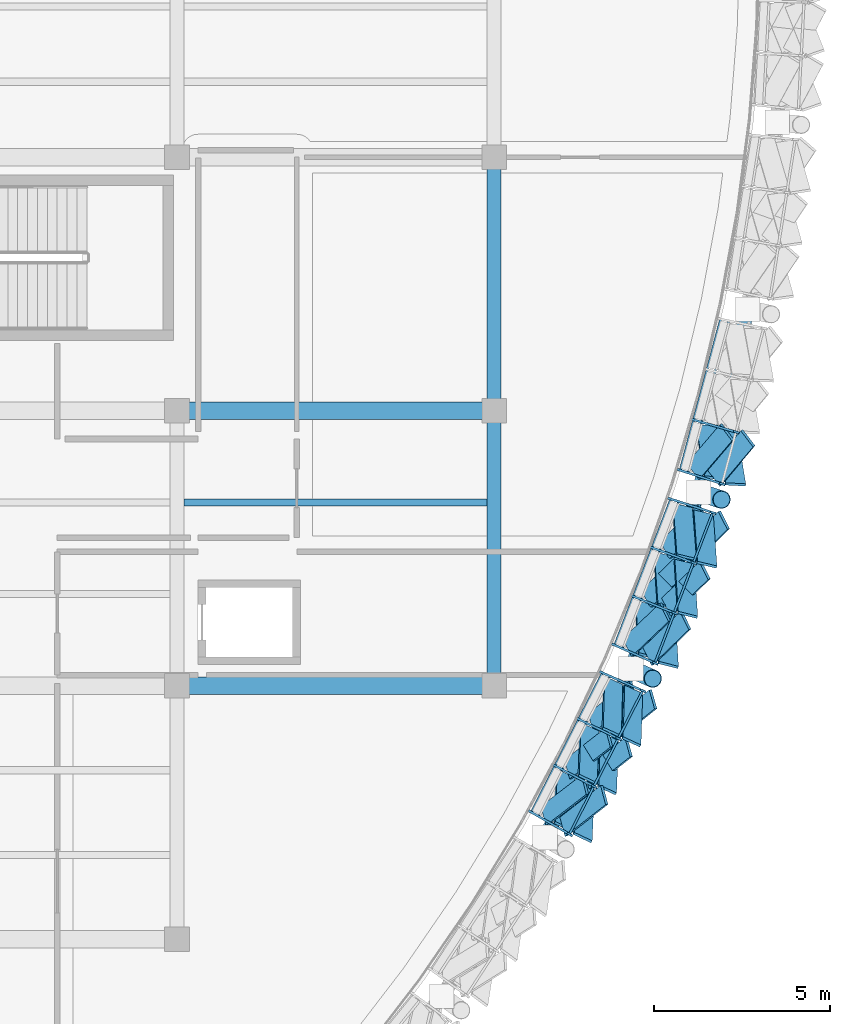
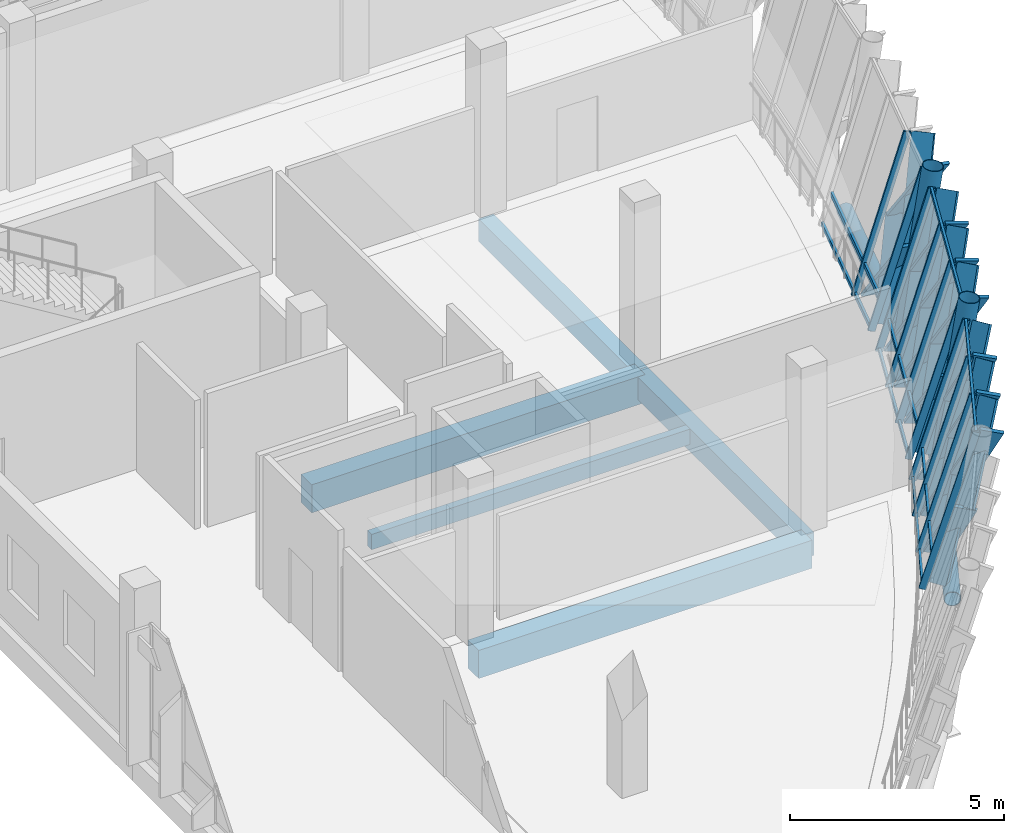
# One storey, part 97 of 177: 48 members, 8 beams, 3 elements without a shape of their own.
"""IFC4 building model written with IfcOpenShell, lengths in metres."""

from ifc_helpers import new_model, si_unit, direction, frame, origin, origin_2d, place, context, subcontext, project, spatial, rectangle, hollow_rectangle, hollow_circle, extrude, material, material_profile, profile_set, type_object, element, aggregate, save


model = new_model("IFC4")

# Units and contexts
model_context = context("Model", 3, precision=1e-05, world=origin(), true_north=direction((0.0, 1.0)))
body_context = subcontext(model_context, "Body", "Model", "MODEL_VIEW")
ifc_project = project(units=[si_unit("LENGTHUNIT", "METRE"), si_unit("AREAUNIT", "SQUARE_METRE"), si_unit("VOLUMEUNIT", "CUBIC_METRE"), si_unit("PLANEANGLEUNIT", "RADIAN"), si_unit("MASSUNIT", "GRAM", prefix="KILO")], contexts=[model_context])

# Site, building, storey
site_placement = place(None, origin())
site = spatial("IfcSite", under=ifc_project, at=site_placement, CompositionType="ELEMENT")
building_placement = place(site_placement, origin())
building = spatial("IfcBuilding", under=site, at=building_placement, Name="Chiffa Square Polytechnic", CompositionType="ELEMENT")
storey_placement = place(building_placement, frame((0.0, 0.0, 4.800048828125)))
storey = spatial("IfcBuildingStorey", under=building, at=storey_placement, Name="L01", CompositionType="ELEMENT", Elevation=4.800048828125)

# Beams
ifc_material_1 = material(Name="Concrete C35/45", Category="concrete")
ifc_material_profile_1 = material_profile(ifc_material_1, rectangle(XDim=0.39990234375, YDim=0.64990234375, at=origin_2d()), Name="RC 400x650")
ifc_profile_set_1 = profile_set([ifc_material_profile_1], Name="Concrete C35/45")
beam_type_1 = type_object("IfcBeamType", Name="BM-RC-400X650", PredefinedType="BEAM", material=ifc_profile_set_1)
beam_1_placement = place(storey_placement, frame((166.199951171875, 36.0, -0.60498046875), z_axis=(0.0, 1.0, 0.0), x_axis=(-1.0, 0.0, 0.0)))
element("IfcBeam", 1, at=beam_1_placement, inside=storey, type_object=beam_type_1, Name="Primary floor girder BM-V1-L01-Y-1662-0360", PredefinedType="BEAM", context=body_context, shape_type="SweptSolid", body=[
    extrude(rectangle(XDim=0.39990234375, YDim=0.64990234375, at=origin_2d()), origin(), (0.0, 0.0, 1.0), 7.800048828125),
])
beam_2_placement = place(storey_placement, frame((166.199951171875, 43.800048828125, -0.60498046875), z_axis=(0.0, 1.0, 0.0), x_axis=(-1.0, 0.0, 0.0)))
element("IfcBeam", 2, at=beam_2_placement, inside=storey, type_object=beam_type_1, Name="Primary floor girder BM-V1-L01-Y-1662-0438", PredefinedType="BEAM", context=body_context, shape_type="SweptSolid", body=[
    extrude(rectangle(XDim=0.39990234375, YDim=0.64990234375, at=origin_2d()), origin(), (0.0, 0.0, 1.0), 7.199951171875),
])
ifc_material_2 = material(Name="Concrete C40/50", Category="concrete")
ifc_material_profile_2 = material_profile(ifc_material_2, rectangle(XDim=0.5, YDim=0.800048828125, at=origin_2d()), Name="RC 500x800")
ifc_profile_set_2 = profile_set([ifc_material_profile_2], Name="Concrete C40/50")
beam_type_2 = type_object("IfcBeamType", Name="BM-RC-500X800", PredefinedType="BEAM", material=ifc_profile_set_2)
for number, where, z_axis, x_axis, name in (
    (3, (157.199951171875, 36.0, -0.679931640625), (1.0, 0.0, 0.0), (0.0, 1.0, 0.0), "Primary floor girder BM-V1-L01-X-1572-0360"),
    (4, (157.199951171875, 43.800048828125, -0.679931640625), (1.0, 0.0, 0.0), (0.0, 1.0, 0.0), "Primary floor girder BM-V1-L01-X-1572-0438"),
):
    element("IfcBeam", number, at=place(storey_placement, frame(where, z_axis=z_axis, x_axis=x_axis)), inside=storey, type_object=beam_type_2, Name=name, PredefinedType="BEAM", context=body_context, shape_type="SweptSolid", body=[
        extrude(rectangle(XDim=0.5, YDim=0.800048828125, at=origin_2d()), origin(), (0.0, 0.0, 1.0), 9.0),
    ])
ifc_material_3 = material(Name="Steel S355", Category="steel")
ifc_material_profile_3 = material_profile(ifc_material_3, hollow_circle(Radius=0.203125, WallThickness=0.012451171875, at=origin_2d()), Name="CHS 406.4x12.5")
ifc_profile_set_3 = profile_set([ifc_material_profile_3], Name="Steel S355")
beam_type_3 = type_object("IfcBeamType", Name="BM-STL-CHS406", PredefinedType="BEAM", material=ifc_profile_set_3)
beam_3_placement = place(storey_placement, frame((167.64501953125, 31.68994140625, 0.0), z_axis=(0.454036073475, 0.890983301742, 0.0), x_axis=(-0.890983301742, 0.454036073475, 0.0)))
element("IfcBeam", 5, at=beam_3_placement, inside=storey, type_object=beam_type_3, Name="Prow V-column ring tie BM-V1-VRING-L01-13", PredefinedType="BEAM", context=body_context, shape_type="SweptSolid", body=[
    extrude(hollow_circle(Radius=0.203125, WallThickness=0.012451171875, at=origin_2d()), origin(), (0.0, 0.0, 1.0), 5.371826171875),
])
beam_4_placement = place(storey_placement, frame((170.083984375, 36.47607421875, 0.0), z_axis=(0.358369884871, 0.933579683593, 0.0), x_axis=(-0.933579683593, 0.358369884871, 0.0)))
element("IfcBeam", 6, at=beam_4_placement, inside=storey, type_object=beam_type_3, Name="Prow V-column ring tie BM-V1-VRING-L01-14", PredefinedType="BEAM", context=body_context, shape_type="SweptSolid", body=[
    extrude(hollow_circle(Radius=0.203125, WallThickness=0.012451171875, at=origin_2d()), origin(), (0.0, 0.0, 1.0), 5.37158203125),
])
beam_5_placement = place(storey_placement, frame((172.009033203125, 41.490966796875, 0.0), z_axis=(0.258734570746, 0.965948457166, 0.0), x_axis=(-0.965948457166, 0.258734570746, 0.0)))
element("IfcBeam", 7, at=beam_5_placement, inside=storey, type_object=beam_type_3, Name="Prow V-column ring tie BM-V1-VRING-L01-15", PredefinedType="BEAM", context=body_context, shape_type="SweptSolid", body=[
    extrude(hollow_circle(Radius=0.203125, WallThickness=0.012451171875, at=origin_2d()), origin(), (0.0, 0.0, 1.0), 5.371826171875),
])

# Members
ifc_material_profile_4 = material_profile(ifc_material_3, hollow_circle(Radius=0.25390625, WallThickness=0.01611328125, at=origin_2d()), Name="CHS 508x16")
ifc_profile_set_4 = profile_set([ifc_material_profile_4], Name="Steel S355")
member_type_1 = type_object("IfcMemberType", Name="COL-VSTRUT-508", PredefinedType="STRUT", material=ifc_profile_set_4)
for number, where, z_axis, x_axis, name in (
    (8, (170.083984375, 36.47607421875, 0.0), (0.127916984654, -0.056958310883, 0.990147966649), (0.406772403324, 0.913529535316, 0.0), "Prow steel V-strut CV-V1-L01-07R"),
    (9, (172.009033203125, 41.490966796875, 0.0), (0.133253536527, -0.04330991739, 0.990135216048), (0.309102326507, 0.951028785972, 0.0), "Prow steel V-strut CV-V1-L01-08L"),
):
    element("IfcMember", number, at=place(storey_placement, frame(where, z_axis=z_axis, x_axis=x_axis)), inside=storey, type_object=member_type_1, Name=name, PredefinedType="STRUT", context=body_context, shape_type="SweptSolid", body=[
        extrude(hollow_circle(Radius=0.25390625, WallThickness=0.01611328125, at=origin_2d()), origin(), (0.0, 0.0, 1.0), 4.847900390625),
    ])

# Curtain wall, members
ifc_material_4 = material(Name="Aluminium EN AW-6060 T66 and glulam shading", Category="wood")
curtain_wall_type_1 = type_object("IfcCurtainWallType", Name="CW-PROW-LEAN-150", PredefinedType="USERDEFINED", material=ifc_material_4)
curtain_wall_1_placement = place(storey_placement, origin())
curtain_wall_1 = element("IfcCurtainWall", 10, at=curtain_wall_1_placement, inside=storey, type_object=curtain_wall_type_1, Name="Outward-leaning diamond-fin prow curtain wall CW-V1-L01-022", ObjectType="CURTAIN WALL", PredefinedType="USERDEFINED")
ifc_material_5 = material(Name="Aluminium EN AW-6060 T66", Category="aluminium")
ifc_material_profile_5 = material_profile(ifc_material_5, hollow_rectangle(XDim=0.06494140625, YDim=0.179931640625, WallThickness=0.00390625, at=origin_2d()), Name="ALU 65x180x4")
ifc_profile_set_5 = profile_set([ifc_material_profile_5], Name="Aluminium EN AW-6060 T66")
member_type_2 = type_object("IfcMemberType", Name="CWM-ALU-75X180", PredefinedType="MULLION", material=ifc_profile_set_5)
member_1_placement = place(storey_placement, frame((167.251953125, 32.412109375, 0.0), z_axis=(0.235856825871, -0.13617611756, 0.962199367437), x_axis=(0.500011333847, 0.866018860086, 0.0)))
member_1 = element("IfcMember", 11, at=member_1_placement, type_object=member_type_2, Name="Leaning prow mullion CW-V1-L01-022-M00", PredefinedType="MULLION", context=body_context, shape_type="SweptSolid", body=[
    extrude(hollow_rectangle(XDim=0.06494140625, YDim=0.179931640625, WallThickness=0.00390625, at=origin_2d()), origin(), (0.0, 0.0, 1.0), 4.656005859375),
])
member_2_placement = place(storey_placement, frame((167.92431640625, 33.73095703125, 0.0), z_axis=(0.240132137937, -0.127643944909, 0.96231158138), x_axis=(0.469366702329, 0.883003340166, 0.0)))
member_2 = element("IfcMember", 12, at=member_2_placement, type_object=member_type_2, Name="Leaning prow mullion CW-V1-L01-022-M01", PredefinedType="MULLION", context=body_context, shape_type="SweptSolid", body=[
    extrude(hollow_rectangle(XDim=0.06494140625, YDim=0.179931640625, WallThickness=0.00390625, at=origin_2d()), origin(), (0.0, 0.0, 1.0), 4.655517578125),
])
member_3_placement = place(storey_placement, frame((168.5966796875, 35.050048828125, 0.0), z_axis=(0.244433962943, -0.119149101868, 0.962317790173), x_axis=(0.438165239028, 0.898894445031, 0.0)))
member_3 = element("IfcMember", 13, at=member_3_placement, type_object=member_type_2, Name="Leaning prow mullion CW-V1-L01-022-M02", PredefinedType="MULLION", context=body_context, shape_type="SweptSolid", body=[
    extrude(hollow_rectangle(XDim=0.06494140625, YDim=0.179931640625, WallThickness=0.00390625, at=origin_2d()), origin(), (0.0, 0.0, 1.0), 4.655517578125),
])
member_4_placement = place(storey_placement, frame((169.26904296875, 36.368896484375, 0.0), z_axis=(0.248714736378, -0.110592321109, 0.962242338717), x_axis=(0.406299332631, 0.913740035406, 0.0)))
member_4 = element("IfcMember", 14, at=member_4_placement, type_object=member_type_2, Name="Leaning prow mullion CW-V1-L01-022-M03", PredefinedType="MULLION", context=body_context, shape_type="SweptSolid", body=[
    extrude(hollow_rectangle(XDim=0.06494140625, YDim=0.179931640625, WallThickness=0.00390625, at=origin_2d()), origin(), (0.0, 0.0, 1.0), 4.65576171875),
])

curtain_wall_type_2 = type_object("IfcCurtainWallType", Name="CW-PROW-LEAN-300", PredefinedType="USERDEFINED", material=ifc_material_4)
curtain_wall_2_placement = place(storey_placement, origin())
curtain_wall_2 = element("IfcCurtainWall", 15, at=curtain_wall_2_placement, inside=storey, type_object=curtain_wall_type_2, Name="Outward-leaning diamond-fin prow curtain wall CW-V1-L01-023", ObjectType="CURTAIN WALL", PredefinedType="USERDEFINED")
member_5_placement = place(storey_placement, frame((169.617919921875, 37.153076171875, 0.0), z_axis=(0.248713293685, -0.110644117578, 0.962236757139), x_axis=(0.406460161439, 0.913668505073, 0.0)))
member_5 = element("IfcMember", 16, at=member_5_placement, type_object=member_type_2, Name="Leaning prow mullion CW-V1-L01-023-M00", PredefinedType="MULLION", context=body_context, shape_type="SweptSolid", body=[
    extrude(hollow_rectangle(XDim=0.06494140625, YDim=0.179931640625, WallThickness=0.00390625, at=origin_2d()), origin(), (0.0, 0.0, 1.0), 4.65576171875),
])
member_6_placement = place(storey_placement, frame((170.148193359375, 38.535400390625, 0.0), z_axis=(0.252191642282, -0.101841582307, 0.962303313761), x_axis=(0.374447109339, 0.927248274362, 0.0)))
member_6 = element("IfcMember", 17, at=member_6_placement, type_object=member_type_2, Name="Leaning prow mullion CW-V1-L01-023-M01", PredefinedType="MULLION", context=body_context, shape_type="SweptSolid", body=[
    extrude(hollow_rectangle(XDim=0.06494140625, YDim=0.179931640625, WallThickness=0.00390625, at=origin_2d()), origin(), (0.0, 0.0, 1.0), 4.655517578125),
])
member_7_placement = place(storey_placement, frame((170.6787109375, 39.917724609375, 0.0), z_axis=(0.255598551201, -0.09303074063, 0.962296556121), x_axis=(0.342021688831, 0.939692058266, 0.0)))
member_7 = element("IfcMember", 18, at=member_7_placement, type_object=member_type_2, Name="Leaning prow mullion CW-V1-L01-023-M02", PredefinedType="MULLION", context=body_context, shape_type="SweptSolid", body=[
    extrude(hollow_rectangle(XDim=0.06494140625, YDim=0.179931640625, WallThickness=0.00390625, at=origin_2d()), origin(), (0.0, 0.0, 1.0), 4.655517578125),
])
member_8_placement = place(storey_placement, frame((171.208984375, 41.300048828125, 0.0), z_axis=(0.259031220919, -0.084211364534, 0.962190871227), x_axis=(0.309173130981, 0.951005770266, 0.0)))
member_8 = element("IfcMember", 19, at=member_8_placement, type_object=member_type_2, Name="Leaning prow mullion CW-V1-L01-023-M03", PredefinedType="MULLION", context=body_context, shape_type="SweptSolid", body=[
    extrude(hollow_rectangle(XDim=0.06494140625, YDim=0.179931640625, WallThickness=0.00390625, at=origin_2d()), origin(), (0.0, 0.0, 1.0), 4.656005859375),
])

curtain_wall_3_placement = place(storey_placement, origin())
curtain_wall_3 = element("IfcCurtainWall", 20, at=curtain_wall_3_placement, inside=storey, type_object=curtain_wall_type_1, Name="Outward-leaning diamond-fin prow curtain wall CW-V1-L01-024", ObjectType="CURTAIN WALL", PredefinedType="USERDEFINED")
member_9_placement = place(storey_placement, frame((171.47412109375, 42.115966796875, 0.0), z_axis=(0.258983445985, -0.084160443573, 0.962208186643), x_axis=(0.309055593806, 0.951043973714, 0.0)))
member_9 = element("IfcMember", 21, at=member_9_placement, type_object=member_type_2, Name="Leaning prow mullion CW-V1-L01-024-M00", PredefinedType="MULLION", context=body_context, shape_type="SweptSolid", body=[
    extrude(hollow_rectangle(XDim=0.06494140625, YDim=0.179931640625, WallThickness=0.00390625, at=origin_2d()), origin(), (0.0, 0.0, 1.0), 4.656005859375),
])
member_10_placement = place(storey_placement, frame((171.857421875, 43.5458984375, 0.0), z_axis=(0.261471198034, -0.0749907367, 0.962293719198), x_axis=(0.27568857239, 0.961247008346, 0.0)))
member_10 = element("IfcMember", 22, at=member_10_placement, type_object=member_type_2, Name="Leaning prow mullion CW-V1-L01-024-M01", PredefinedType="MULLION", context=body_context, shape_type="SweptSolid", body=[
    extrude(hollow_rectangle(XDim=0.06494140625, YDim=0.179931640625, WallThickness=0.00390625, at=origin_2d()), origin(), (0.0, 0.0, 1.0), 4.655517578125),
])

# Member
ifc_material_6 = material(Name="Glulam GL28h", Category="wood")
ifc_material_profile_6 = material_profile(ifc_material_6, rectangle(XDim=0.080078125, YDim=0.580078125, at=origin_2d()), Name="GL28h 80x580")
ifc_profile_set_6 = profile_set([ifc_material_profile_6], Name="Glulam GL28h")
member_type_3 = type_object("IfcMemberType", Name="CWM-GL-80X580", PredefinedType="MULLION", material=ifc_profile_set_6)
member_11_placement = place(storey_placement, frame((167.633056640625, 32.30908203125, 0.0400390625), z_axis=(0.43565976178, 0.334580762133, 0.835617308088), x_axis=(-0.86701688692, -0.093432370879, 0.489440609131)))
member_11 = element("IfcMember", 23, at=member_11_placement, type_object=member_type_3, Name="Diamond glulam fin CW-V1-L01-022-DF01A", PredefinedType="MULLION", context=body_context, shape_type="SweptSolid", body=[
    extrude(rectangle(XDim=0.080078125, YDim=0.580078125, at=origin_2d()), origin(), (0.0, 0.0, 1.0), 2.6328125),
])

member_12_placement = place(storey_placement, frame((168.23095703125, 33.48291015625, 0.0400390625), z_axis=(-0.021795002717, -0.559313107696, 0.828669913425), x_axis=(0.482396013335, 0.720112924887, 0.498729848444)))
member_12 = element("IfcMember", 24, at=member_12_placement, type_object=member_type_3, Name="Diamond glulam fin CW-V1-L01-022-DF01B", PredefinedType="MULLION", context=body_context, shape_type="SweptSolid", body=[
    extrude(rectangle(XDim=0.080078125, YDim=0.580078125, at=origin_2d()), origin(), (0.0, 0.0, 1.0), 2.65478515625),
])

member_13_placement = place(storey_placement, frame((168.173095703125, 31.998046875, 2.239990234375), z_axis=(0.437049379623, 0.340214760205, 0.832611407987), x_axis=(-0.864273921818, -0.097455018892, 0.493490736851)))
member_13 = element("IfcMember", 25, at=member_13_placement, type_object=member_type_3, Name="Diamond glulam fin CW-V1-L01-022-DF02A", PredefinedType="MULLION", context=body_context, shape_type="SweptSolid", body=[
    extrude(rectangle(XDim=0.080078125, YDim=0.580078125, at=origin_2d()), origin(), (0.0, 0.0, 1.0), 2.642333984375),
])

member_14_placement = place(storey_placement, frame((168.780029296875, 33.18994140625, 2.239990234375), z_axis=(-0.025562673432, -0.56366153031, 0.825610216128), x_axis=(0.486851463208, 0.714300935848, 0.502742305579)))
member_14 = element("IfcMember", 26, at=member_14_placement, type_object=member_type_3, Name="Diamond glulam fin CW-V1-L01-022-DF02B", PredefinedType="MULLION", context=body_context, shape_type="SweptSolid", body=[
    extrude(rectangle(XDim=0.080078125, YDim=0.580078125, at=origin_2d()), origin(), (0.0, 0.0, 1.0), 2.66455078125),
])

member_15_placement = place(storey_placement, frame((168.304931640625, 33.6279296875, 0.0400390625), z_axis=(0.437597913846, 0.34082589154, 0.832073180348), x_axis=(-0.863870015677, -0.097386741052, 0.494210905062)))
member_15 = element("IfcMember", 27, at=member_15_placement, type_object=member_type_3, Name="Diamond glulam fin CW-V1-L01-022-DF03A", PredefinedType="MULLION", context=body_context, shape_type="SweptSolid", body=[
    extrude(rectangle(XDim=0.080078125, YDim=0.580078125, at=origin_2d()), origin(), (0.0, 0.0, 1.0), 2.64404296875),
])

member_16_placement = place(storey_placement, frame((168.904052734375, 34.802001953125, 0.0400390625), z_axis=(-0.018562593881, -0.554199631249, 0.832176783401), x_axis=(0.478557405339, 0.725861746597, 0.494072398158)))
member_16 = element("IfcMember", 28, at=member_16_placement, type_object=member_type_3, Name="Diamond glulam fin CW-V1-L01-022-DF03B", PredefinedType="MULLION", context=body_context, shape_type="SweptSolid", body=[
    extrude(rectangle(XDim=0.080078125, YDim=0.580078125, at=origin_2d()), origin(), (0.0, 0.0, 1.0), 2.6435546875),
])

member_17_placement = place(storey_placement, frame((168.85498046875, 33.3369140625, 2.239990234375), z_axis=(0.439097859152, 0.345978195811, 0.829151468738), x_axis=(-0.861263999037, -0.100631270855, 0.4980940386)))
member_17 = element("IfcMember", 29, at=member_17_placement, type_object=member_type_3, Name="Diamond glulam fin CW-V1-L01-022-DF04A", PredefinedType="MULLION", context=body_context, shape_type="SweptSolid", body=[
    extrude(rectangle(XDim=0.080078125, YDim=0.580078125, at=origin_2d()), origin(), (0.0, 0.0, 1.0), 2.6533203125),
])

member_18_placement = place(storey_placement, frame((169.4619140625, 34.529052734375, 2.239990234375), z_axis=(-0.021802849706, -0.558870514613, 0.828968264556), x_axis=(0.482438660267, 0.720356927835, 0.498336066927)))
member_18 = element("IfcMember", 30, at=member_18_placement, type_object=member_type_3, Name="Diamond glulam fin CW-V1-L01-022-DF04B", PredefinedType="MULLION", context=body_context, shape_type="SweptSolid", body=[
    extrude(rectangle(XDim=0.080078125, YDim=0.580078125, at=origin_2d()), origin(), (0.0, 0.0, 1.0), 2.65380859375),
])

member_19_placement = place(storey_placement, frame((168.97802734375, 34.947021484375, 0.0400390625), z_axis=(0.439523729328, 0.346837553771, 0.828566595182), x_axis=(-0.86078072519, -0.100941314251, 0.498866108508)))
member_19 = element("IfcMember", 31, at=member_19_placement, type_object=member_type_3, Name="Diamond glulam fin CW-V1-L01-022-DF05A", PredefinedType="MULLION", context=body_context, shape_type="SweptSolid", body=[
    extrude(rectangle(XDim=0.080078125, YDim=0.580078125, at=origin_2d()), origin(), (0.0, 0.0, 1.0), 2.655029296875),
])

member_20_placement = place(storey_placement, frame((169.575927734375, 36.12109375, 0.0400390625), z_axis=(-0.014746391838, -0.548955303699, 0.835721615413), x_axis=(0.473822398565, 0.732173904444, 0.489299201174)))
member_20 = element("IfcMember", 32, at=member_20_placement, type_object=member_type_3, Name="Diamond glulam fin CW-V1-L01-022-DF05B", PredefinedType="MULLION", context=body_context, shape_type="SweptSolid", body=[
    extrude(rectangle(XDim=0.080078125, YDim=0.580078125, at=origin_2d()), origin(), (0.0, 0.0, 1.0), 2.63232421875),
])

member_21_placement = place(storey_placement, frame((169.537109375, 34.676025390625, 2.239990234375), z_axis=(0.441198568927, 0.351969456358, 0.825506707767), x_axis=(-0.85810240332, -0.103801540681, 0.502877227132)))
member_21 = element("IfcMember", 33, at=member_21_placement, type_object=member_type_3, Name="Diamond glulam fin CW-V1-L01-022-DF06A", PredefinedType="MULLION", context=body_context, shape_type="SweptSolid", body=[
    extrude(rectangle(XDim=0.080078125, YDim=0.580078125, at=origin_2d()), origin(), (0.0, 0.0, 1.0), 2.6650390625),
])

member_22_placement = place(storey_placement, frame((170.14501953125, 35.867919921875, 2.239990234375), z_axis=(-0.018201692525, -0.553627114771, 0.832565742857), x_axis=(0.478121158494, 0.726503050528, 0.493551897346)))
member_22 = element("IfcMember", 34, at=member_22_placement, type_object=member_type_3, Name="Diamond glulam fin CW-V1-L01-022-DF06B", PredefinedType="MULLION", context=body_context, shape_type="SweptSolid", body=[
    extrude(rectangle(XDim=0.080078125, YDim=0.580078125, at=origin_2d()), origin(), (0.0, 0.0, 1.0), 2.642333984375),
])

member_23_placement = place(storey_placement, frame((170.008056640625, 37.090087890625, 0.0400390625), z_axis=(0.398004531147, 0.378623602207, 0.83560550563), x_axis=(-0.812211009653, -0.278037024921, 0.512843727242)))
member_23 = element("IfcMember", 35, at=member_23_placement, type_object=member_type_3, Name="Diamond glulam fin CW-V1-L01-023-DF01A", PredefinedType="MULLION", context=body_context, shape_type="SweptSolid", body=[
    extrude(rectangle(XDim=0.080078125, YDim=0.580078125, at=origin_2d()), origin(), (0.0, 0.0, 1.0), 2.6328125),
])

member_24_placement = place(storey_placement, frame((170.47998046875, 38.321044921875, 0.0400390625), z_axis=(0.036506406167, -0.558630774475, 0.828612659883), x_axis=(0.307159701813, 0.795299440253, 0.522639185209)))
member_24 = element("IfcMember", 36, at=member_24_placement, type_object=member_type_3, Name="Diamond glulam fin CW-V1-L01-023-DF01B", PredefinedType="MULLION", context=body_context, shape_type="SweptSolid", body=[
    extrude(rectangle(XDim=0.080078125, YDim=0.580078125, at=origin_2d()), origin(), (0.0, 0.0, 1.0), 2.655029296875),
])

member_25_placement = place(storey_placement, frame((170.576904296875, 36.837890625, 2.239990234375), z_axis=(0.399284577338, 0.384133566074, 0.83247416159), x_axis=(-0.808530936188, -0.280564654173, 0.517263182583)))
member_25 = element("IfcMember", 37, at=member_25_placement, type_object=member_type_3, Name="Diamond glulam fin CW-V1-L01-023-DF02A", PredefinedType="MULLION", context=body_context, shape_type="SweptSolid", body=[
    extrude(rectangle(XDim=0.080078125, YDim=0.580078125, at=origin_2d()), origin(), (0.0, 0.0, 1.0), 2.642578125),
])

member_26_placement = place(storey_placement, frame((171.055908203125, 38.0869140625, 2.239990234375), z_axis=(0.033814381629, -0.563023199806, 0.825749032137), x_axis=(0.311507288331, 0.79100090896, 0.526574563895)))
member_26 = element("IfcMember", 38, at=member_26_placement, type_object=member_type_3, Name="Diamond glulam fin CW-V1-L01-023-DF02B", PredefinedType="MULLION", context=body_context, shape_type="SweptSolid", body=[
    extrude(rectangle(XDim=0.080078125, YDim=0.580078125, at=origin_2d()), origin(), (0.0, 0.0, 1.0), 2.664306640625),
])

member_27_placement = place(storey_placement, frame((170.5380859375, 38.472900390625, 0.0400390625), z_axis=(0.39940404551, 0.384720752276, 0.832145631004), x_axis=(-0.808137705047, -0.280848011202, 0.517723714238)))
member_27 = element("IfcMember", 39, at=member_27_placement, type_object=member_type_3, Name="Diamond glulam fin CW-V1-L01-023-DF03A", PredefinedType="MULLION", context=body_context, shape_type="SweptSolid", body=[
    extrude(rectangle(XDim=0.080078125, YDim=0.580078125, at=origin_2d()), origin(), (0.0, 0.0, 1.0), 2.643798828125),
])

member_28_placement = place(storey_placement, frame((171.010009765625, 39.702880859375, 0.0400390625), z_axis=(0.039712945269, -0.553025851795, 0.832217092606), x_axis=(0.301798406972, 0.800614476741, 0.517623590248)))
member_28 = element("IfcMember", 40, at=member_28_placement, type_object=member_type_3, Name="Diamond glulam fin CW-V1-L01-023-DF03B", PredefinedType="MULLION", context=body_context, shape_type="SweptSolid", body=[
    extrude(rectangle(XDim=0.080078125, YDim=0.580078125, at=origin_2d()), origin(), (0.0, 0.0, 1.0), 2.6435546875),
])

member_29_placement = place(storey_placement, frame((171.114990234375, 38.240966796875, 2.239990234375), z_axis=(0.400606808879, 0.39002578384, 0.829092318514), x_axis=(-0.804583672148, -0.28317205397, 0.521975767985)))
member_29 = element("IfcMember", 41, at=member_29_placement, type_object=member_type_3, Name="Diamond glulam fin CW-V1-L01-023-DF04A", PredefinedType="MULLION", context=body_context, shape_type="SweptSolid", body=[
    extrude(rectangle(XDim=0.080078125, YDim=0.580078125, at=origin_2d()), origin(), (0.0, 0.0, 1.0), 2.653564453125),
])

member_30_placement = place(storey_placement, frame((171.593994140625, 39.489990234375, 2.239990234375), z_axis=(0.036890777589, -0.558053508369, 0.828984530813), x_axis=(0.306537760532, 0.795876957405, 0.522124956347)))
member_30 = element("IfcMember", 42, at=member_30_placement, type_object=member_type_3, Name="Diamond glulam fin CW-V1-L01-023-DF04B", PredefinedType="MULLION", context=body_context, shape_type="SweptSolid", body=[
    extrude(rectangle(XDim=0.080078125, YDim=0.580078125, at=origin_2d()), origin(), (0.0, 0.0, 1.0), 2.65380859375),
])

member_31_placement = place(storey_placement, frame((171.069091796875, 39.85498046875, 0.0400390625), z_axis=(0.400786190455, 0.390669971788, 0.828702240062), x_axis=(-0.804152534306, -0.283401445883, 0.522515379716)))
member_31 = element("IfcMember", 43, at=member_31_placement, type_object=member_type_3, Name="Diamond glulam fin CW-V1-L01-023-DF05A", PredefinedType="MULLION", context=body_context, shape_type="SweptSolid", body=[
    extrude(rectangle(XDim=0.080078125, YDim=0.580078125, at=origin_2d()), origin(), (0.0, 0.0, 1.0), 2.65478515625),
])

member_32_placement = place(storey_placement, frame((171.541015625, 41.0859375, 0.0400390625), z_axis=(0.042563974687, -0.547675020694, 0.835607790633), x_axis=(0.296844794103, 0.805529520216, 0.512840482289)))
member_32 = element("IfcMember", 44, at=member_32_placement, type_object=member_type_3, Name="Diamond glulam fin CW-V1-L01-023-DF05B", PredefinedType="MULLION", context=body_context, shape_type="SweptSolid", body=[
    extrude(rectangle(XDim=0.080078125, YDim=0.580078125, at=origin_2d()), origin(), (0.0, 0.0, 1.0), 2.6328125),
])

member_33_placement = place(storey_placement, frame((171.653076171875, 39.64404296875, 2.239990234375), z_axis=(0.401961568899, 0.395914278371, 0.825638408331), x_axis=(-0.800629576474, -0.28557361341, 0.526725728059)))
member_33 = element("IfcMember", 45, at=member_33_placement, type_object=member_type_3, Name="Diamond glulam fin CW-V1-L01-023-DF06A", PredefinedType="MULLION", context=body_context, shape_type="SweptSolid", body=[
    extrude(rectangle(XDim=0.080078125, YDim=0.580078125, at=origin_2d()), origin(), (0.0, 0.0, 1.0), 2.66455078125),
])

member_34_placement = place(storey_placement, frame((172.133056640625, 40.89208984375, 2.239990234375), z_axis=(0.039727142974, -0.552576842155, 0.832514617064), x_axis=(0.301711545853, 0.800916756186, 0.517206431476)))
member_34 = element("IfcMember", 46, at=member_34_placement, type_object=member_type_3, Name="Diamond glulam fin CW-V1-L01-023-DF06B", PredefinedType="MULLION", context=body_context, shape_type="SweptSolid", body=[
    extrude(rectangle(XDim=0.080078125, YDim=0.580078125, at=origin_2d()), origin(), (0.0, 0.0, 1.0), 2.642578125),
])

member_35_placement = place(storey_placement, frame((171.867919921875, 42.093994140625, 0.0400390625), z_axis=(0.35664066649, 0.417842652939, 0.835592575596), x_axis=(-0.72084801543, -0.445879867217, 0.530631023086)))
member_35 = element("IfcMember", 47, at=member_35_placement, type_object=member_type_3, Name="Diamond glulam fin CW-V1-L01-024-DF01A", PredefinedType="MULLION", context=body_context, shape_type="SweptSolid", body=[
    extrude(rectangle(XDim=0.080078125, YDim=0.580078125, at=origin_2d()), origin(), (0.0, 0.0, 1.0), 2.6328125),
])

member_36_placement = place(storey_placement, frame((172.208984375, 43.366943359375, 0.0400390625), z_axis=(0.094916804408, -0.551473991504, 0.828774539266), x_axis=(0.11928134496, 0.832835587272, 0.540515351602)))
member_36 = element("IfcMember", 48, at=member_36_placement, type_object=member_type_3, Name="Diamond glulam fin CW-V1-L01-024-DF01B", PredefinedType="MULLION", context=body_context, shape_type="SweptSolid", body=[
    extrude(rectangle(XDim=0.080078125, YDim=0.580078125, at=origin_2d()), origin(), (0.0, 0.0, 1.0), 2.654541015625),
])

member_37_placement = place(storey_placement, frame((172.4609375, 41.903076171875, 2.239990234375), z_axis=(0.356944188857, 0.423472745931, 0.832623371936), x_axis=(-0.716229080173, -0.44813519782, 0.534967988938)))
member_37 = element("IfcMember", 49, at=member_37_placement, type_object=member_type_3, Name="Diamond glulam fin CW-V1-L01-024-DF02A", PredefinedType="MULLION", context=body_context, shape_type="SweptSolid", body=[
    extrude(rectangle(XDim=0.080078125, YDim=0.580078125, at=origin_2d()), origin(), (0.0, 0.0, 1.0), 2.64208984375),
])

member_38_placement = place(storey_placement, frame((172.806884765625, 43.194091796875, 2.239990234375), z_axis=(0.09235672751, -0.556614205974, 0.825621499594), x_axis=(0.124788780598, 0.829098287016, 0.544998890554)))
member_38 = element("IfcMember", 50, at=member_38_placement, type_object=member_type_3, Name="Diamond glulam fin CW-V1-L01-024-DF02B", PredefinedType="MULLION", context=body_context, shape_type="SweptSolid", body=[
    extrude(rectangle(XDim=0.080078125, YDim=0.580078125, at=origin_2d()), origin(), (0.0, 0.0, 1.0), 2.66455078125),
])

ifc_material_profile_7 = material_profile(ifc_material_5, hollow_rectangle(XDim=0.06494140625, YDim=0.139892578125, WallThickness=0.00390625, at=origin_2d()), Name="ALU 65x140x4")
ifc_profile_set_7 = profile_set([ifc_material_profile_7], Name="Aluminium EN AW-6060 T66")
member_type_4 = type_object("IfcMemberType", Name="CWT-ALU-75X140", PredefinedType="USERDEFINED", material=ifc_profile_set_7)
member_39_placement = place(storey_placement, frame((167.26171875, 32.40625, 0.0400390625), z_axis=(0.454124159987, 0.890938408262, 0.0), x_axis=(-0.890938408262, 0.454124159987, 0.0)))
member_39 = element("IfcMember", 51, at=member_39_placement, type_object=member_type_4, Name="Leaning prow transom CW-V1-L01-022-T01", ObjectType="TRANSOM", PredefinedType="USERDEFINED", context=body_context, shape_type="SweptSolid", body=[
    extrude(hollow_rectangle(XDim=0.06494140625, YDim=0.139892578125, WallThickness=0.00390625, at=origin_2d()), origin(), (0.0, 0.0, 1.0), 4.44287109375),
])

member_40_placement = place(storey_placement, frame((167.460205078125, 32.291748046875, 0.849853515625), z_axis=(0.454152570776, 0.890923926302, 0.0), x_axis=(-0.890923926302, 0.454152570776, 0.0)))
member_40 = element("IfcMember", 52, at=member_40_placement, type_object=member_type_4, Name="Leaning prow transom CW-V1-L01-022-T02", ObjectType="TRANSOM", PredefinedType="USERDEFINED", context=body_context, shape_type="SweptSolid", body=[
    extrude(hollow_rectangle(XDim=0.06494140625, YDim=0.139892578125, WallThickness=0.00390625, at=origin_2d()), origin(), (0.0, 0.0, 1.0), 4.466796875),
])

member_41_placement = place(storey_placement, frame((168.340087890625, 31.78369140625, 4.43994140625), z_axis=(0.454054520546, 0.890973901061, 0.0), x_axis=(-0.890973901061, 0.454054520546, 0.0)))
member_41 = element("IfcMember", 53, at=member_41_placement, type_object=member_type_4, Name="Leaning prow transom CW-V1-L01-022-T03", ObjectType="TRANSOM", PredefinedType="USERDEFINED", context=body_context, shape_type="SweptSolid", body=[
    extrude(hollow_rectangle(XDim=0.06494140625, YDim=0.139892578125, WallThickness=0.00390625, at=origin_2d()), origin(), (0.0, 0.0, 1.0), 4.573486328125),
])

aggregate(curtain_wall_1, [member_1, member_2, member_3, member_4, member_39, member_40, member_41, member_11, member_12, member_13, member_14, member_15, member_16, member_17, member_18, member_19, member_20, member_21, member_22])

member_42_placement = place(storey_placement, frame((169.62841796875, 37.1484375, 0.0400390625), z_axis=(0.358183547006, 0.933651191106, 0.0), x_axis=(-0.933651191106, 0.358183547006, 0.0)))
member_42 = element("IfcMember", 54, at=member_42_placement, type_object=member_type_4, Name="Leaning prow transom CW-V1-L01-023-T01", ObjectType="TRANSOM", PredefinedType="USERDEFINED", context=body_context, shape_type="SweptSolid", body=[
    extrude(hollow_rectangle(XDim=0.06494140625, YDim=0.139892578125, WallThickness=0.00390625, at=origin_2d()), origin(), (0.0, 0.0, 1.0), 4.442626953125),
])

member_43_placement = place(storey_placement, frame((169.837646484375, 37.055419921875, 0.849853515625), z_axis=(0.358235433232, 0.933631283954, 0.0), x_axis=(-0.933631283954, 0.358235433232, 0.0)))
member_43 = element("IfcMember", 55, at=member_43_placement, type_object=member_type_4, Name="Leaning prow transom CW-V1-L01-023-T02", ObjectType="TRANSOM", PredefinedType="USERDEFINED", context=body_context, shape_type="SweptSolid", body=[
    extrude(hollow_rectangle(XDim=0.06494140625, YDim=0.139892578125, WallThickness=0.00390625, at=origin_2d()), origin(), (0.0, 0.0, 1.0), 4.466552734375),
])

member_44_placement = place(storey_placement, frame((170.765625, 36.642578125, 4.43994140625), z_axis=(0.358356478208, 0.93358482985, 0.0), x_axis=(-0.93358482985, 0.358356478208, 0.0)))
member_44 = element("IfcMember", 56, at=member_44_placement, type_object=member_type_4, Name="Leaning prow transom CW-V1-L01-023-T03", ObjectType="TRANSOM", PredefinedType="USERDEFINED", context=body_context, shape_type="SweptSolid", body=[
    extrude(hollow_rectangle(XDim=0.06494140625, YDim=0.139892578125, WallThickness=0.00390625, at=origin_2d()), origin(), (0.0, 0.0, 1.0), 4.57275390625),
])

aggregate(curtain_wall_2, [member_5, member_6, member_7, member_8, member_42, member_43, member_44, member_23, member_24, member_25, member_26, member_27, member_28, member_29, member_30, member_31, member_32, member_33, member_34])

member_45_placement = place(storey_placement, frame((171.48486328125, 42.112548828125, 0.0400390625), z_axis=(0.258897237629, 0.965904871273, 0.0), x_axis=(-0.965904871273, 0.258897237629, 0.0)))
member_45 = element("IfcMember", 57, at=member_45_placement, type_object=member_type_4, Name="Leaning prow transom CW-V1-L01-024-T01", ObjectType="TRANSOM", PredefinedType="USERDEFINED", context=body_context, shape_type="SweptSolid", body=[
    extrude(hollow_rectangle(XDim=0.06494140625, YDim=0.139892578125, WallThickness=0.00390625, at=origin_2d()), origin(), (0.0, 0.0, 1.0), 4.4423828125),
])

member_46_placement = place(storey_placement, frame((171.702880859375, 42.04150390625, 0.849853515625), z_axis=(0.258910931835, 0.965901200629, 0.0), x_axis=(-0.965901200629, 0.258910931835, 0.0)))
member_46 = element("IfcMember", 58, at=member_46_placement, type_object=member_type_4, Name="Leaning prow transom CW-V1-L01-024-T02", ObjectType="TRANSOM", PredefinedType="USERDEFINED", context=body_context, shape_type="SweptSolid", body=[
    extrude(hollow_rectangle(XDim=0.06494140625, YDim=0.139892578125, WallThickness=0.00390625, at=origin_2d()), origin(), (0.0, 0.0, 1.0), 4.466796875),
])

aggregate(curtain_wall_3, [member_9, member_10, member_45, member_46, member_35, member_36, member_37, member_38])

# Beam
ifc_material_profile_8 = material_profile(ifc_material_6, rectangle(XDim=0.199951171875, YDim=0.43994140625, at=origin_2d()), Name="GL28h 200x440")
ifc_profile_set_8 = profile_set([ifc_material_profile_8], Name="Glulam GL28h")
beam_type_4 = type_object("IfcBeamType", Name="JST-GL-200X440", PredefinedType="JOIST", material=ifc_profile_set_8)
beam_6_placement = place(storey_placement, frame((157.39794921875, 41.199951171875, -0.5), z_axis=(1.0, 0.0, 0.0), x_axis=(0.0, 1.0, 0.0)))
element("IfcBeam", 59, at=beam_6_placement, inside=storey, type_object=beam_type_4, Name="Secondary floor joist JST-V1-L01-1572-0412", PredefinedType="JOIST", context=body_context, shape_type="SweptSolid", body=[
    extrude(rectangle(XDim=0.199951171875, YDim=0.43994140625, at=origin_2d()), origin(), (0.0, 0.0, 1.0), 8.60400390625),
])

save(model, "model.ifc")
